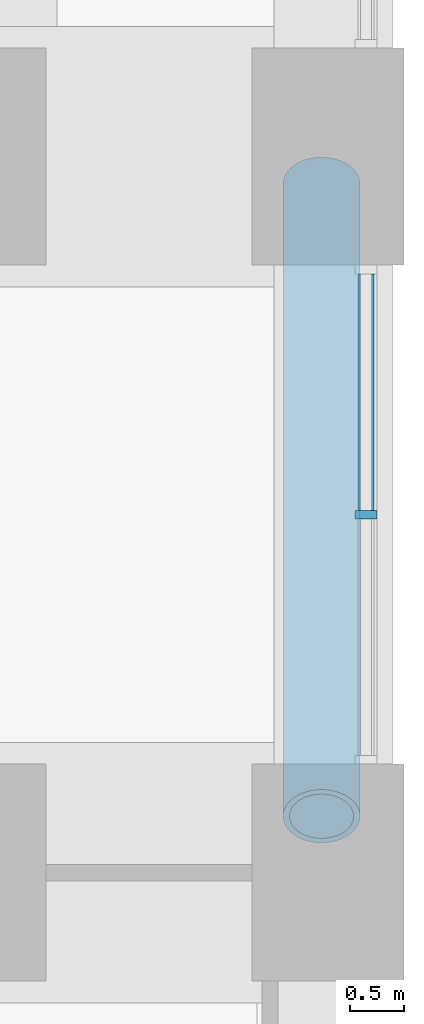
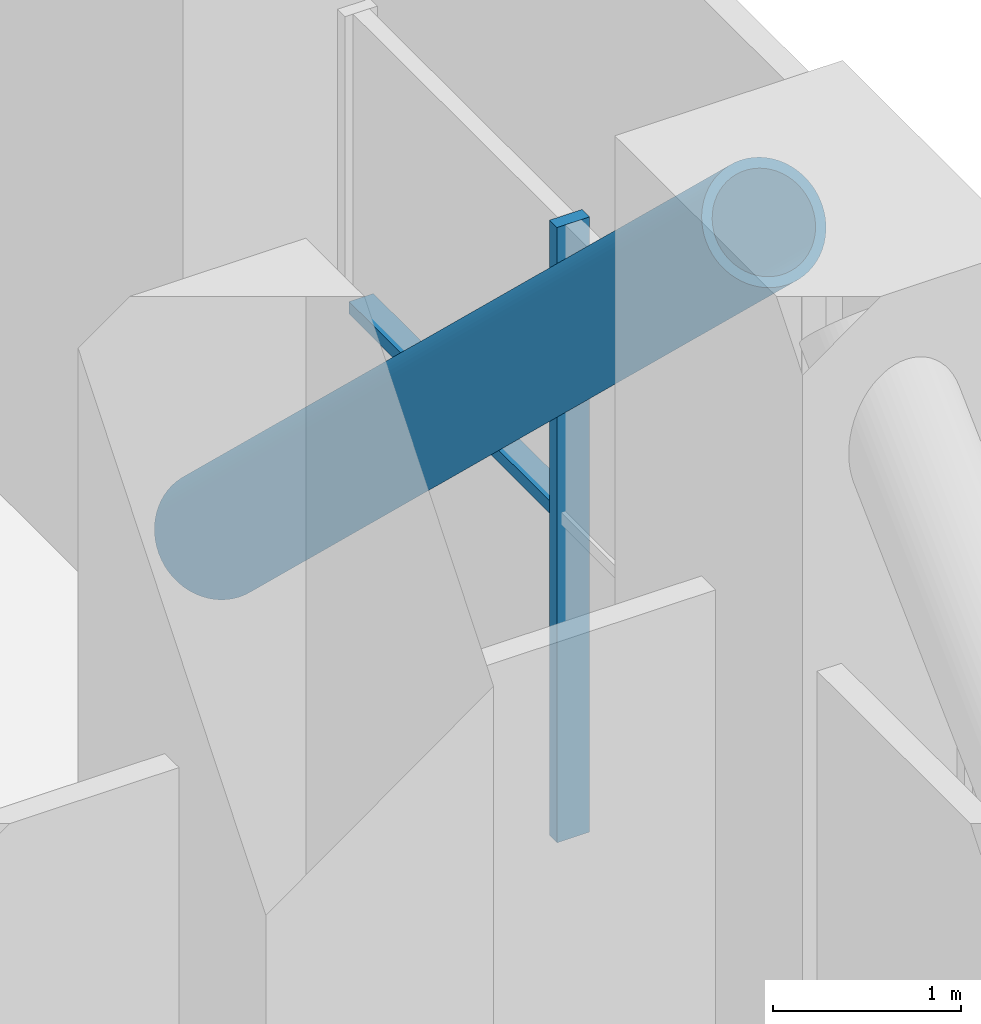
# One storey, part 6 of 16: 3 members, 1 element without a shape of its own.
"""IFC4 building model written with IfcOpenShell, lengths in metres."""

from ifc_helpers import new_model, si_unit, direction, frame, origin, origin_2d, place, context, subcontext, project, spatial, rectangle, hollow_circle, extrude, material, material_profile, profile_set, type_object, element, aggregate, save


model = new_model("IFC4")

# Units and contexts
model_context = context("Model", 3, precision=1e-05, world=origin(), true_north=direction((0.0, 1.0)))
body_context = subcontext(model_context, "Body", "Model", "MODEL_VIEW")
ifc_project = project(units=[si_unit("LENGTHUNIT", "METRE"), si_unit("AREAUNIT", "SQUARE_METRE"), si_unit("VOLUMEUNIT", "CUBIC_METRE"), si_unit("PLANEANGLEUNIT", "RADIAN"), si_unit("MASSUNIT", "GRAM", prefix="KILO")], contexts=[model_context])

# Site, building, storey
site_placement = place(None, origin())
site = spatial("IfcSite", under=ifc_project, at=site_placement, CompositionType="ELEMENT")
building_placement = place(site_placement, origin())
building = spatial("IfcBuilding", under=site, at=building_placement, Name="Cobogo Forest Laboratory Tower", CompositionType="ELEMENT")
storey_placement = place(building_placement, frame((0.0, 0.0, 149.39990234375)))
storey = spatial("IfcBuildingStorey", under=building, at=storey_placement, Name="L34", CompositionType="ELEMENT", Elevation=149.39990234375)

# Member
ifc_material_1 = material(Name="Steel S460NH", Category="steel")
ifc_material_profile_1 = material_profile(ifc_material_1, hollow_circle(Radius=0.35546875, WallThickness=0.06005859375, at=origin_2d()), Name="CHS 711x60")
ifc_profile_set_1 = profile_set([ifc_material_profile_1], Name="Steel S460NH")
member_type_1 = type_object("IfcMemberType", Name="Belt truss diagonal CHS 711x60", PredefinedType="BRACE", material=ifc_profile_set_1)
member_1_placement = place(storey_placement, frame((49.43994140625, 32.75, 0.23876953125), z_axis=(0.0, -0.723363796511, 0.690467101242), x_axis=(1.0, 0.0, 0.0)))
element("IfcMember", 1, at=member_1_placement, inside=storey, type_object=member_type_1, Name="BT1 belt truss diagonal E09 L34", PredefinedType="BRACE", context=body_context, shape_type="SweptSolid", body=[
    extrude(hollow_circle(Radius=0.35546875, WallThickness=0.06005859375, at=origin_2d()), origin(), (0.0, 0.0, 1.0), 8.0595703125),
])

# Curtain wall, members
ifc_material_2 = material(Name="Aluminium curtain wall", Category="aluminium")
curtain_wall_type = type_object("IfcCurtainWallType", Name="CW-P louvred curtain wall, plant floors", PredefinedType="USERDEFINED", material=ifc_material_2)
curtain_wall_placement = place(storey_placement, origin())
curtain_wall = element("IfcCurtainWall", 2, at=curtain_wall_placement, inside=storey, type_object=curtain_wall_type, Name="Curtain wall 13 L34", ObjectType="LOUVRED CURTAIN WALL", PredefinedType="USERDEFINED")
ifc_material_3 = material(Name="Aluminium mullion", Category="aluminium")
ifc_material_profile_2 = material_profile(ifc_material_3, rectangle(XDim=0.080078125, YDim=0.199951171875, at=origin_2d()), Name="AL 80x200")
ifc_profile_set_2 = profile_set([ifc_material_profile_2], Name="Aluminium mullion")
member_type_2 = type_object("IfcMemberType", Name="MU-3 aluminium louvre mullion 80x200", PredefinedType="MULLION", material=ifc_profile_set_2)
member_2_placement = place(storey_placement, frame((49.85009765625, 29.699951171875, 0.0), z_axis=(0.0, 0.0, 1.0), x_axis=(0.0, 1.0, 0.0)))
member_2 = element("IfcMember", 3, at=member_2_placement, type_object=member_type_2, Name="CW-P mullion 2", PredefinedType="MULLION", context=body_context, shape_type="SweptSolid", body=[
    extrude(rectangle(XDim=0.080078125, YDim=0.199951171875, at=origin_2d()), origin(), (0.0, 0.0, 1.0), 4.0),
])
ifc_material_4 = material(Name="Aluminium transom", Category="aluminium")
ifc_material_profile_3 = material_profile(ifc_material_4, rectangle(XDim=0.14990234375, YDim=0.080078125, at=origin_2d()), Name="AL 80x150")
ifc_profile_set_3 = profile_set([ifc_material_profile_3], Name="Aluminium transom")
member_type_3 = type_object("IfcMemberType", Name="TR-2 aluminium louvre transom 80x150", PredefinedType="USERDEFINED", material=ifc_profile_set_3)
member_3_placement = place(storey_placement, frame((49.85009765625, 29.739990234375, 2.10009765625), z_axis=(0.0, 1.0, 0.0), x_axis=(-1.0, 0.0, 0.0)))
member_3 = element("IfcMember", 4, at=member_3_placement, type_object=member_type_3, Name="CW-P transom 2.1", ObjectType="TRANSOM", PredefinedType="USERDEFINED", context=body_context, shape_type="SweptSolid", body=[
    extrude(rectangle(XDim=0.14990234375, YDim=0.080078125, at=origin_2d()), origin(), (0.0, 0.0, 1.0), 2.179931640625),
])
aggregate(curtain_wall, [member_2, member_3])

save(model, "model.ifc")
